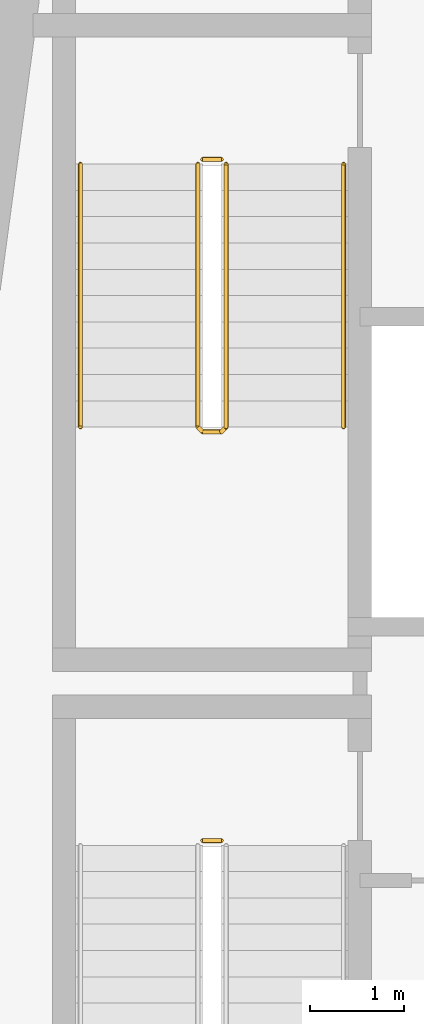
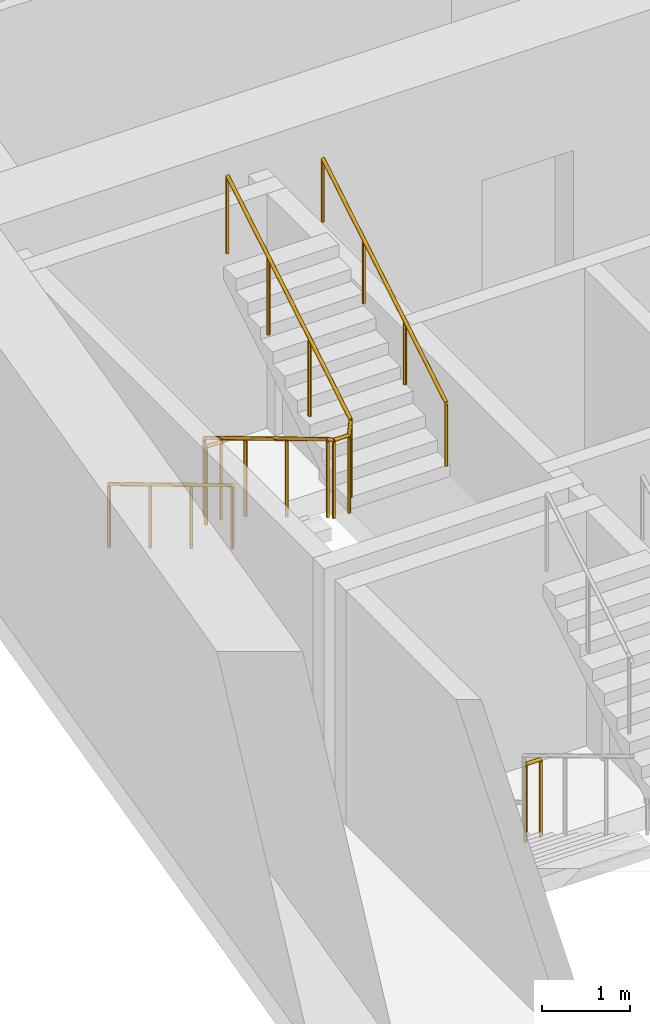
# One storey, part 10 of 13: 5 railings.
"""IFC4 building model written with IfcOpenShell, lengths in metres."""

from ifc_helpers import new_model, si_unit, direction, frame, origin, origin_2d, place, context, subcontext, project, spatial, circle, extrude, material, type_object, element, save


model = new_model("IFC4")

# Units and contexts
model_context = context("Model", 3, precision=1e-05, world=origin(), true_north=direction((0.0, 1.0)))
body_context = subcontext(model_context, "Body", "Model", "MODEL_VIEW")
ifc_project = project(units=[si_unit("LENGTHUNIT", "METRE"), si_unit("AREAUNIT", "SQUARE_METRE"), si_unit("VOLUMEUNIT", "CUBIC_METRE"), si_unit("PLANEANGLEUNIT", "RADIAN"), si_unit("MASSUNIT", "GRAM", prefix="KILO")], contexts=[model_context])

# Site, building, storey
site_placement = place(None, origin())
site = spatial("IfcSite", under=ifc_project, at=site_placement, CompositionType="ELEMENT")
building_placement = place(site_placement, origin())
building = spatial("IfcBuilding", under=site, at=building_placement, Name="Candeia Pilgrim Tower and Theatre", CompositionType="ELEMENT")
storey_placement = place(building_placement, frame((0.0, 0.0, 188.5)))
storey = spatial("IfcBuildingStorey", under=building, at=storey_placement, Name="L45", CompositionType="ELEMENT", Elevation=188.5)

# Railings
ifc_material_1 = material(Name="Stainless steel balustrade", Category="steel")
railing_type_1 = type_object("IfcRailingType", Name="RL-GUARD-1100", PredefinedType="GUARDRAIL", material=ifc_material_1)
railing_1_placement = place(storey_placement, frame((91.152099609375, 122.52490234375, 0.0)))
element("IfcRailing", 1, at=railing_1_placement, inside=storey, type_object=railing_type_1, Name="L45 ST1 stair guard 2", PredefinedType="GUARDRAIL", context=body_context, shape_type="SweptSolid", body=[
    extrude(circle(Radius=0.02392578125, at=origin_2d()), frame((0.0, 0.0, 1.076171875), z_axis=(1.0, 0.0, 0.0), x_axis=(0.0, 1.0, 0.0)), (0.0, 0.0, 1.0), 0.199951171875),
    extrude(circle(Radius=0.02099609375, at=origin_2d()), origin(), (0.0, 0.0, 1.0), 1.052001953125),
    extrude(circle(Radius=0.02099609375, at=origin_2d()), frame((0.199951171875, 0.0, 0.0)), (0.0, 0.0, 1.0), 1.052001953125),
])
railing_2_placement = place(storey_placement, frame((91.10205078125, 129.72509765625, 0.168212890625)))
element("IfcRailing", 2, at=railing_2_placement, inside=storey, type_object=railing_type_1, Name="L45 ST2 stair guard 1", PredefinedType="GUARDRAIL", context=body_context, shape_type="SweptSolid", body=[
    extrude(circle(Radius=0.02392578125, at=origin_2d()), frame((0.0, 0.0, 1.076171875), z_axis=(0.0, -0.857242210791, 0.514913383045), x_axis=(1.0, 0.0, 0.0)), (0.0, 0.0, 1.0), 3.266357421875),
    extrude(circle(Radius=0.02392578125, at=origin_2d()), frame((0.0, -2.800048828125, 2.7578125), z_axis=(0.707106781187, -0.707106781187, 0.0), x_axis=(0.707106781187, 0.707106781187, 0.0)), (0.0, 0.0, 1.0), 0.07080078125),
    extrude(circle(Radius=0.02392578125, at=origin_2d()), frame((0.050048828125, -2.85009765625, 2.7578125), z_axis=(1.0, 0.0, 0.0), x_axis=(0.0, 1.0, 0.0)), (0.0, 0.0, 1.0), 0.199951171875),
    extrude(circle(Radius=0.02392578125, at=origin_2d()), frame((0.25, -2.85009765625, 2.7578125), z_axis=(0.274582412415, 0.274582412415, 0.921525364591), x_axis=(-0.707106781187, 0.707106781187, 0.0)), (0.0, 0.0, 1.0), 0.182373046875),
    extrude(circle(Radius=0.02392578125, at=origin_2d()), frame((0.300048828125, -2.800048828125, 2.92578125), z_axis=(0.0, 0.857242210791, 0.514913383045), x_axis=(-1.0, 0.0, 0.0)), (0.0, 0.0, 1.0), 3.266357421875),
    extrude(circle(Radius=0.02099609375, at=origin_2d()), origin(), (0.0, 0.0, 1.0), 1.052001953125),
    extrude(circle(Radius=0.02099609375, at=origin_2d()), frame((0.0, -0.933349609375, 0.560546875)), (0.0, 0.0, 1.0), 1.052001953125),
    extrude(circle(Radius=0.02099609375, at=origin_2d()), frame((0.0, -1.86669921875, 1.121337890625)), (0.0, 0.0, 1.0), 1.052001953125),
    extrude(circle(Radius=0.02099609375, at=origin_2d()), frame((0.0, -2.800048828125, 1.681884765625)), (0.0, 0.0, 1.0), 1.052001953125),
    extrude(circle(Radius=0.02099609375, at=origin_2d()), frame((0.050048828125, -2.85009765625, 1.681884765625)), (0.0, 0.0, 1.0), 1.052001953125),
    extrude(circle(Radius=0.02099609375, at=origin_2d()), frame((0.25, -2.85009765625, 1.681884765625)), (0.0, 0.0, 1.0), 1.052001953125),
    extrude(circle(Radius=0.02099609375, at=origin_2d()), frame((0.300048828125, -2.800048828125, 1.849853515625)), (0.0, 0.0, 1.0), 1.052001953125),
    extrude(circle(Radius=0.02099609375, at=origin_2d()), frame((0.300048828125, -1.86669921875, 2.410400390625)), (0.0, 0.0, 1.0), 1.052001953125),
    extrude(circle(Radius=0.02099609375, at=origin_2d()), frame((0.300048828125, -0.933349609375, 2.97119140625)), (0.0, 0.0, 1.0), 1.052001953125),
    extrude(circle(Radius=0.02099609375, at=origin_2d()), frame((0.300048828125, 0.0, 3.53173828125)), (0.0, 0.0, 1.0), 1.052001953125),
])
railing_3_placement = place(storey_placement, frame((91.152099609375, 129.77490234375, 0.0)))
element("IfcRailing", 3, at=railing_3_placement, inside=storey, type_object=railing_type_1, Name="L45 ST2 stair guard 2", PredefinedType="GUARDRAIL", context=body_context, shape_type="SweptSolid", body=[
    extrude(circle(Radius=0.02392578125, at=origin_2d()), frame((0.0, 0.0, 1.076171875), z_axis=(1.0, 0.0, 0.0), x_axis=(0.0, 1.0, 0.0)), (0.0, 0.0, 1.0), 0.199951171875),
    extrude(circle(Radius=0.02099609375, at=origin_2d()), origin(), (0.0, 0.0, 1.0), 1.052001953125),
    extrude(circle(Radius=0.02099609375, at=origin_2d()), frame((0.199951171875, 0.0, 0.0)), (0.0, 0.0, 1.0), 1.052001953125),
])
ifc_material_2 = material(Name="Stainless steel handrail", Category="steel")
railing_type_2 = type_object("IfcRailingType", Name="RL-HANDRAIL-900", PredefinedType="HANDRAIL", material=ifc_material_2)
railing_4_placement = place(storey_placement, frame((89.85205078125, 129.72509765625, 0.168212890625)))
element("IfcRailing", 4, at=railing_4_placement, inside=storey, type_object=railing_type_2, Name="L45 ST2 stair handrail 1", PredefinedType="HANDRAIL", context=body_context, shape_type="SweptSolid", body=[
    extrude(circle(Radius=0.02392578125, at=origin_2d()), frame((0.0, 0.0, 0.8759765625), z_axis=(0.0, -0.857242210791, 0.514913383045), x_axis=(1.0, 0.0, 0.0)), (0.0, 0.0, 1.0), 3.266357421875),
    extrude(circle(Radius=0.02099609375, at=origin_2d()), origin(), (0.0, 0.0, 1.0), 0.851806640625),
    extrude(circle(Radius=0.02099609375, at=origin_2d()), frame((0.0, -0.933349609375, 0.560546875)), (0.0, 0.0, 1.0), 0.851806640625),
    extrude(circle(Radius=0.02099609375, at=origin_2d()), frame((0.0, -1.86669921875, 1.121337890625)), (0.0, 0.0, 1.0), 0.851806640625),
    extrude(circle(Radius=0.02099609375, at=origin_2d()), frame((0.0, -2.800048828125, 1.681884765625)), (0.0, 0.0, 1.0), 0.851806640625),
])
railing_5_placement = place(storey_placement, frame((92.652099609375, 126.925048828125, 2.01806640625)))
element("IfcRailing", 5, at=railing_5_placement, inside=storey, type_object=railing_type_2, Name="L45 ST2 stair handrail 2", PredefinedType="HANDRAIL", context=body_context, shape_type="SweptSolid", body=[
    extrude(circle(Radius=0.02392578125, at=origin_2d()), frame((0.0, 0.0, 0.8759765625), z_axis=(0.0, 0.857242210791, 0.514913383045), x_axis=(-1.0, 0.0, 0.0)), (0.0, 0.0, 1.0), 3.266357421875),
    extrude(circle(Radius=0.02099609375, at=origin_2d()), origin(), (0.0, 0.0, 1.0), 0.851806640625),
    extrude(circle(Radius=0.02099609375, at=origin_2d()), frame((0.0, 0.933349609375, 0.560546875)), (0.0, 0.0, 1.0), 0.851806640625),
    extrude(circle(Radius=0.02099609375, at=origin_2d()), frame((0.0, 1.86669921875, 1.121337890625)), (0.0, 0.0, 1.0), 0.851806640625),
    extrude(circle(Radius=0.02099609375, at=origin_2d()), frame((0.0, 2.800048828125, 1.681884765625)), (0.0, 0.0, 1.0), 0.851806640625),
])

save(model, "model.ifc")
